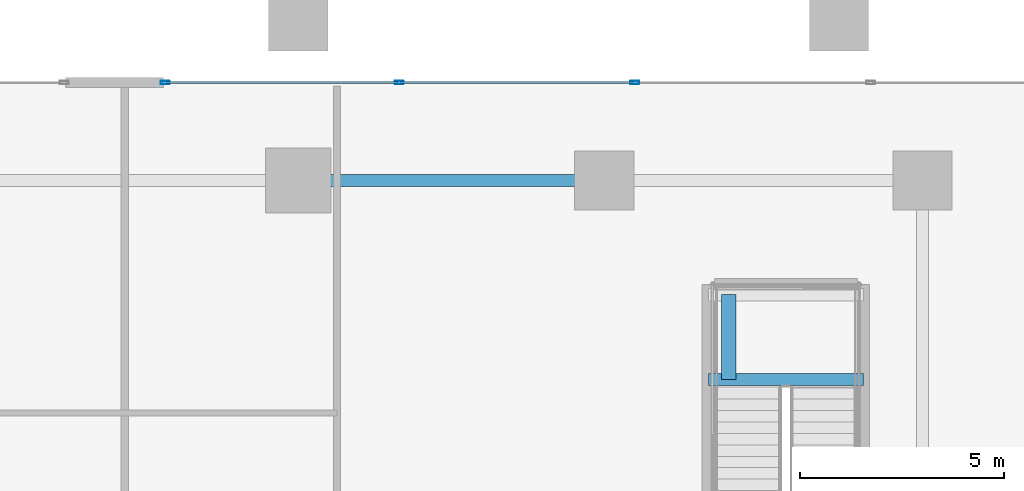
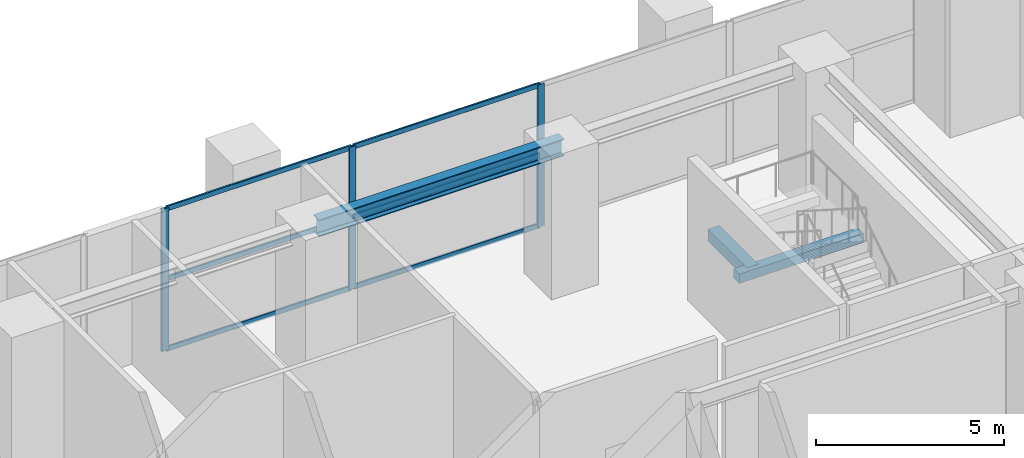
# One storey, part 10 of 20: 9 members, 3 beams, 1 element without a shape of its own.
"""IFC4 building model written with IfcOpenShell, lengths in metres."""

from ifc_helpers import new_model, si_unit, direction, frame, origin, origin_2d, place, context, subcontext, project, spatial, rectangle, hollow_rectangle, i_section, extrude, source, transform, mapped, material, layer, layer_set, material_profile, profile_set, type_object, element, aggregate, save


model = new_model("IFC4")

# Units and contexts
model_context = context("Model", 3, precision=1e-05, world=origin(), true_north=direction((0.0, 1.0)))
body_context = subcontext(model_context, "Body", "Model", "MODEL_VIEW")
ifc_project = project(units=[si_unit("LENGTHUNIT", "METRE"), si_unit("AREAUNIT", "SQUARE_METRE"), si_unit("VOLUMEUNIT", "CUBIC_METRE"), si_unit("PLANEANGLEUNIT", "RADIAN"), si_unit("MASSUNIT", "GRAM", prefix="KILO")], contexts=[model_context])

# Site, building, storey
site_placement = place(None, origin())
site = spatial("IfcSite", under=ifc_project, at=site_placement, CompositionType="ELEMENT")
building_placement = place(site_placement, origin())
building = spatial("IfcBuilding", under=site, at=building_placement, Name="Serunith Strait Residences", CompositionType="ELEMENT")
storey_placement = place(building_placement, frame((0.0, 0.0, 5.5)))
storey = spatial("IfcBuildingStorey", under=building, at=storey_placement, Name="L01", CompositionType="ELEMENT", Elevation=5.5)

# Beams
ifc_material_1 = material(Name="Steel S355J2", Category="steel")
ifc_material_profile_1 = material_profile(ifc_material_1, i_section(OverallWidth=0.300048828125, OverallDepth=0.550048828125, WebThickness=0.014892578125, FlangeThickness=0.029052734375, FilletRadius=0.027099609375, at=origin_2d()), Name="HEB 550")
ifc_profile_set_1 = profile_set([ifc_material_profile_1], Name="Steel S355J2")
beam_type_1 = type_object("IfcBeamType", Name="BM-HEB550", PredefinedType="BEAM", material=ifc_profile_set_1)
shared_shape_1 = source(origin(), body_context, "Body", "SweptSolid", [
    extrude(i_section(OverallWidth=0.300048828125, OverallDepth=0.550048828125, WebThickness=0.014892578125, FlangeThickness=0.029052734375, FilletRadius=0.027099609375, at=origin_2d()), origin(), (0.0, 0.0, 1.0), 7.5),
])
beam_1_placement = place(storey_placement, frame((36.89990234375, 45.60009765625, 4.342041015625), z_axis=(1.0, 0.0, 0.0), x_axis=(0.0, 1.0, 0.0)))
element("IfcBeam", 1, at=beam_1_placement, inside=storey, type_object=beam_type_1, Name="BM-L01-09", PredefinedType="BEAM", context=body_context, shape_type="MappedRepresentation", body=[
    mapped(shared_shape_1, transform((0.0, 0.0, 0.0), scale=1.0)),
])
ifc_material_2 = material(Name="Concrete C60/75", Category="concrete")
ifc_material_profile_2 = material_profile(ifc_material_2, rectangle(XDim=0.300048828125, YDim=0.300048828125, at=origin_2d()), Name="RC 300x300")
ifc_profile_set_2 = profile_set([ifc_material_profile_2], Name="Concrete C60/75")
beam_type_2 = type_object("IfcBeamType", Name="BM-LAND-300x300", PredefinedType="BEAM", material=ifc_profile_set_2)
shared_shape_2 = source(origin(), body_context, "Body", "SweptSolid", [
    extrude(rectangle(XDim=0.300048828125, YDim=0.300048828125, at=origin_2d()), origin(), (0.0, 0.0, 1.0), 3.800048828125),
])
beam_2_placement = place(storey_placement, frame((46.949951171875, 40.719970703125, 2.14990234375), z_axis=(1.0, 0.0, 0.0), x_axis=(0.0, 1.0, 0.0)))
element("IfcBeam", 2, at=beam_2_placement, inside=storey, type_object=beam_type_2, Name="L01 ST-4 Landing Support Beam 1", PredefinedType="BEAM", context=body_context, shape_type="MappedRepresentation", body=[
    mapped(shared_shape_2, transform((0.0, 0.0, 0.0), scale=1.0)),
])
ifc_material_profile_3 = material_profile(ifc_material_2, rectangle(XDim=0.35009765625, YDim=0.39990234375, at=origin_2d()), Name="RC 350x400")
ifc_profile_set_3 = profile_set([ifc_material_profile_3], Name="Concrete C60/75")
beam_type_3 = type_object("IfcBeamType", Name="BM-LAND-350x400", PredefinedType="BEAM", material=ifc_profile_set_3)
shared_shape_3 = source(origin(), body_context, "Body", "SweptSolid", [
    extrude(rectangle(XDim=0.35009765625, YDim=0.39990234375, at=origin_2d()), origin(), (0.0, 0.0, 1.0), 2.080078125),
])
beam_3_placement = place(storey_placement, frame((47.449951171875, 40.719970703125, 2.10009765625), z_axis=(0.0, 1.0, 0.0), x_axis=(-1.0, 0.0, 0.0)))
element("IfcBeam", 3, at=beam_3_placement, inside=storey, type_object=beam_type_3, Name="L01 ST-4 Landing Transverse Trimmer", PredefinedType="BEAM", context=body_context, shape_type="MappedRepresentation", body=[
    mapped(shared_shape_3, transform((0.0, 0.0, 0.0), scale=1.0)),
])

# Curtain wall, members
ifc_material_3 = material(Name="Pale-Champagne Anodised Aluminium", Category="aluminium")
ifc_layer = layer(ifc_material_3, 0.199951171875, Name="Pale-Champagne Anodised Aluminium")
ifc_layer_set = layer_set([ifc_layer], Name="Pale-Champagne Anodised Aluminium")
curtain_wall_type = type_object("IfcCurtainWallType", Name="CW-SYS6", PredefinedType="NOTDEFINED", material=ifc_layer_set)
curtain_wall_placement = place(storey_placement, origin())
curtain_wall = element("IfcCurtainWall", 4, at=curtain_wall_placement, inside=storey, type_object=curtain_wall_type, Name="L01 Podium Galleria Curtain Wall 9A", PredefinedType="NOTDEFINED")
ifc_material_profile_4 = material_profile(ifc_material_3, hollow_rectangle(XDim=0.074951171875, YDim=0.219970703125, WallThickness=0.00390625, InnerFilletRadius=0.006103515625, OuterFilletRadius=0.010009765625, at=origin_2d()), Name="ALU 220x75x4")
ifc_profile_set_4 = profile_set([ifc_material_profile_4], Name="Pale-Champagne Anodised Aluminium")
member_type_1 = type_object("IfcMemberType", Name="CW-SYS6-MULL", PredefinedType="MULLION", material=ifc_profile_set_4)
shared_shape_4 = source(origin(), body_context, "Body", "SweptSolid", [
    extrude(hollow_rectangle(XDim=0.074951171875, YDim=0.219970703125, WallThickness=0.00390625, InnerFilletRadius=0.006103515625, OuterFilletRadius=0.010009765625, at=origin_2d()), origin(), (0.0, 0.0, 1.0), 4.60498046875),
])
member_1_placement = place(storey_placement, frame((45.14990234375, 48.0, 0.0), z_axis=(0.0, 0.0, 1.0), x_axis=(0.0, -1.0, 0.0)))
member_1 = element("IfcMember", 5, at=member_1_placement, type_object=member_type_1, Name="CW-6 mullion 3", PredefinedType="MULLION", context=body_context, shape_type="MappedRepresentation", body=[
    mapped(shared_shape_4, transform((0.0, 0.0, 0.0), scale=1.0)),
])
member_2_placement = place(storey_placement, frame((39.375, 48.0, 0.0), z_axis=(0.0, 0.0, 1.0), x_axis=(0.0, -1.0, 0.0)))
member_2 = element("IfcMember", 6, at=member_2_placement, type_object=member_type_1, Name="CW-6 mullion 4", PredefinedType="MULLION", context=body_context, shape_type="MappedRepresentation", body=[
    mapped(shared_shape_4, transform((0.0, 0.0, 0.0), scale=1.0)),
])
member_3_placement = place(storey_placement, frame((33.637451171875, 48.0, 0.0), z_axis=(0.0, 0.0, 1.0), x_axis=(0.0, -1.0, 0.0)))
member_3 = element("IfcMember", 7, at=member_3_placement, type_object=member_type_1, Name="CW-6 mullion 5", PredefinedType="MULLION", context=body_context, shape_type="MappedRepresentation", body=[
    mapped(shared_shape_4, transform((0.0, 0.0, 0.0), scale=1.0)),
])
ifc_material_profile_5 = material_profile(ifc_material_3, hollow_rectangle(XDim=0.06005859375, YDim=0.159912109375, WallThickness=0.00341796875, InnerFilletRadius=0.00537109375, OuterFilletRadius=0.0087890625, at=origin_2d()), Name="ALU 160x60x3.5")
ifc_profile_set_5 = profile_set([ifc_material_profile_5], Name="Pale-Champagne Anodised Aluminium")
member_type_2 = type_object("IfcMemberType", Name="CW-SYS6-TRAN", PredefinedType="USERDEFINED", material=ifc_profile_set_5)
shared_shape_5 = source(origin(), body_context, "Body", "SweptSolid", [
    extrude(hollow_rectangle(XDim=0.06005859375, YDim=0.159912109375, WallThickness=0.00341796875, InnerFilletRadius=0.00537109375, OuterFilletRadius=0.0087890625, at=origin_2d()), origin(), (0.0, 0.0, 1.0), 5.699951171875),
])
member_4_placement = place(storey_placement, frame((45.112548828125, 48.0, 0.030029296875), z_axis=(-1.0, 0.0, 0.0), x_axis=(0.0, -1.0, 0.0)))
member_4 = element("IfcMember", 8, at=member_4_placement, type_object=member_type_2, Name="CW-6 transom 3.1", ObjectType="TRANSOM", PredefinedType="USERDEFINED", context=body_context, shape_type="MappedRepresentation", body=[
    mapped(shared_shape_5, transform((0.0, 0.0, 0.0), scale=1.0)),
])
member_5_placement = place(storey_placement, frame((45.112548828125, 48.0, 2.302490234375), z_axis=(-1.0, 0.0, 0.0), x_axis=(0.0, -1.0, 0.0)))
member_5 = element("IfcMember", 9, at=member_5_placement, type_object=member_type_2, Name="CW-6 transom 3.2", ObjectType="TRANSOM", PredefinedType="USERDEFINED", context=body_context, shape_type="MappedRepresentation", body=[
    mapped(shared_shape_5, transform((0.0, 0.0, 0.0), scale=1.0)),
])
member_6_placement = place(storey_placement, frame((45.112548828125, 48.0, 4.574951171875), z_axis=(-1.0, 0.0, 0.0), x_axis=(0.0, -1.0, 0.0)))
member_6 = element("IfcMember", 10, at=member_6_placement, type_object=member_type_2, Name="CW-6 transom 3.3", ObjectType="TRANSOM", PredefinedType="USERDEFINED", context=body_context, shape_type="MappedRepresentation", body=[
    mapped(shared_shape_5, transform((0.0, 0.0, 0.0), scale=1.0)),
])
shared_shape_6 = source(origin(), body_context, "Body", "SweptSolid", [
    extrude(hollow_rectangle(XDim=0.06005859375, YDim=0.159912109375, WallThickness=0.00341796875, InnerFilletRadius=0.00537109375, OuterFilletRadius=0.0087890625, at=origin_2d()), origin(), (0.0, 0.0, 1.0), 5.662353515625),
])
member_7_placement = place(storey_placement, frame((39.33740234375, 48.0, 0.030029296875), z_axis=(-1.0, 0.0, 0.0), x_axis=(0.0, -1.0, 0.0)))
member_7 = element("IfcMember", 11, at=member_7_placement, type_object=member_type_2, Name="CW-6 transom 4.1", ObjectType="TRANSOM", PredefinedType="USERDEFINED", context=body_context, shape_type="MappedRepresentation", body=[
    mapped(shared_shape_6, transform((0.0, 0.0, 0.0), scale=1.0)),
])
member_8_placement = place(storey_placement, frame((39.33740234375, 48.0, 2.302490234375), z_axis=(-1.0, 0.0, 0.0), x_axis=(0.0, -1.0, 0.0)))
member_8 = element("IfcMember", 12, at=member_8_placement, type_object=member_type_2, Name="CW-6 transom 4.2", ObjectType="TRANSOM", PredefinedType="USERDEFINED", context=body_context, shape_type="MappedRepresentation", body=[
    mapped(shared_shape_6, transform((0.0, 0.0, 0.0), scale=1.0)),
])
member_9_placement = place(storey_placement, frame((39.33740234375, 48.0, 4.574951171875), z_axis=(-1.0, 0.0, 0.0), x_axis=(0.0, -1.0, 0.0)))
member_9 = element("IfcMember", 13, at=member_9_placement, type_object=member_type_2, Name="CW-6 transom 4.3", ObjectType="TRANSOM", PredefinedType="USERDEFINED", context=body_context, shape_type="MappedRepresentation", body=[
    mapped(shared_shape_6, transform((0.0, 0.0, 0.0), scale=1.0)),
])
aggregate(curtain_wall, [member_1, member_2, member_3, member_4, member_5, member_6, member_7, member_8, member_9])

save(model, "model.ifc")
